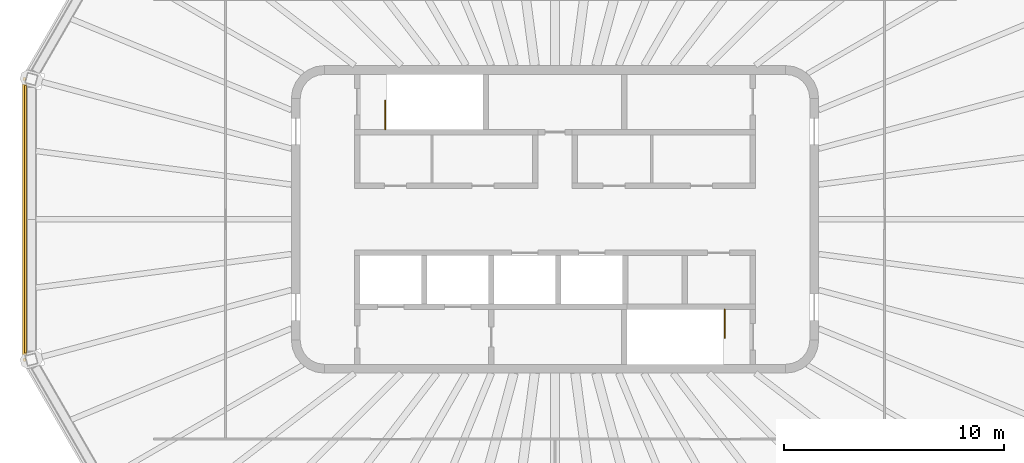
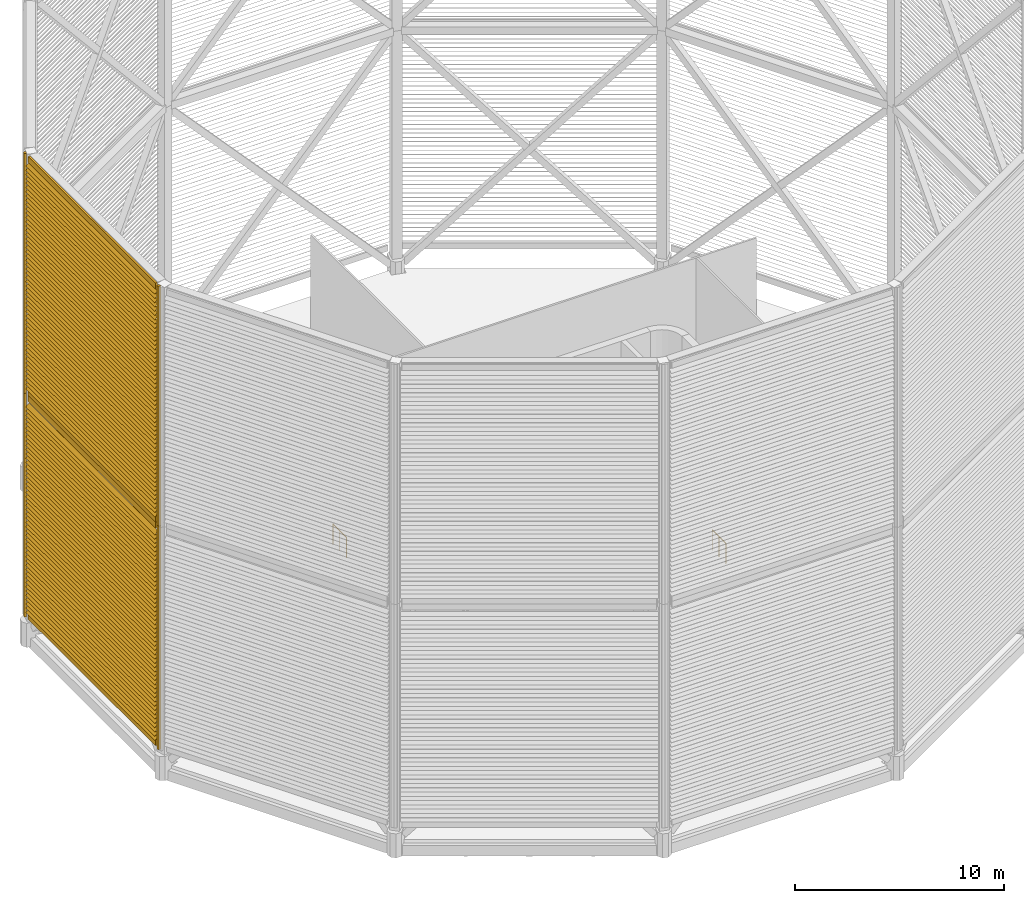
# One storey, part 10 of 18: 2 railings, 2 shading devices.
"""IFC4 building model written with IfcOpenShell, lengths in metres."""

from ifc_helpers import new_model, si_unit, direction, frame, origin, origin_2d, place, context, subcontext, project, spatial, rectangle, circle, extrude, material, type_object, element, save


model = new_model("IFC4")

# Units and contexts
model_context = context("Model", 3, precision=1e-05, world=origin(), true_north=direction((0.0, 1.0)))
body_context = subcontext(model_context, "Body", "Model", "MODEL_VIEW")
ifc_project = project(units=[si_unit("LENGTHUNIT", "METRE"), si_unit("AREAUNIT", "SQUARE_METRE"), si_unit("VOLUMEUNIT", "CUBIC_METRE"), si_unit("PLANEANGLEUNIT", "RADIAN"), si_unit("MASSUNIT", "GRAM", prefix="KILO")], contexts=[model_context])

# Site, building, storey
site_placement = place(None, origin())
site = spatial("IfcSite", under=ifc_project, at=site_placement, CompositionType="ELEMENT")
building_placement = place(site_placement, origin())
building = spatial("IfcBuilding", under=site, at=building_placement, Name="Sahrelin Media Tower", CompositionType="ELEMENT")
storey_placement = place(building_placement, frame((0.0, 0.0, 335.800048828125)))
storey = spatial("IfcBuildingStorey", under=building, at=storey_placement, Name="Crown", CompositionType="ELEMENT", Elevation=335.800048828125)

# Shading devices
ifc_material_1 = material(Name="Champagne anodised aluminium 6063-T6", Category="aluminium")
shading_device_type = type_object("IfcShadingDeviceType", Name="Crown louvre screen", PredefinedType="USERDEFINED", material=ifc_material_1)
shading_device_1_placement = place(storey_placement, frame((-23.830078125, 6.38525390625, 0.949951171875), z_axis=(0.0, 0.0, 1.0), x_axis=(0.0, 1.0, 0.0)))
element("IfcShadingDevice", 1, at=shading_device_1_placement, inside=storey, type_object=shading_device_type, Name="Crown louvre screen CS-05A", ObjectType="LOUVRE", PredefinedType="USERDEFINED", context=body_context, shape_type="SweptSolid", body=[
    extrude(rectangle(XDim=0.10009765625, YDim=0.35009765625, at=origin_2d()), frame((-0.300048828125, 0.27490234375, 12.875), z_axis=(-1.0, 0.0, 0.0), x_axis=(0.0, -1.0, 0.0)), (0.0, 0.0, 1.0), 12.170654296875),
    extrude(rectangle(XDim=0.10009765625, YDim=0.35009765625, at=origin_2d()), frame((-0.300048828125, 0.27490234375, 0.175048828125), z_axis=(-1.0, 0.0, 0.0), x_axis=(0.0, -1.0, 0.0)), (0.0, 0.0, 1.0), 12.170654296875),
    extrude(rectangle(XDim=0.1201171875, YDim=0.14990234375, at=origin_2d()), frame((0.0078125, 0.31884765625, 0.0), z_axis=(0.0, 0.0, 1.0), x_axis=(0.258819045103, 0.965925826289, 0.0)), (0.0, 0.0, 1.0), 13.050048828125),
    extrude(rectangle(XDim=0.1201171875, YDim=0.14990234375, at=origin_2d()), frame((-12.7783203125, 0.31884765625, 0.0), z_axis=(0.0, 0.0, 1.0), x_axis=(-0.258819045103, 0.965925826289, 0.0)), (0.0, 0.0, 1.0), 13.050048828125),
    extrude(rectangle(XDim=0.25, YDim=0.02001953125, at=origin_2d()), frame((-0.219970703125, 0.31005859375, 0.449951171875), z_axis=(-1.0, 0.0, 0.0), x_axis=(0.0, -0.766044443119, 0.642787609687)), (0.0, 0.0, 1.0), 12.33056640625),
    extrude(rectangle(XDim=0.25, YDim=0.02001953125, at=origin_2d()), frame((-0.219970703125, 0.31005859375, 0.699951171875), z_axis=(-1.0, 0.0, 0.0), x_axis=(0.0, -0.766044443119, 0.642787609687)), (0.0, 0.0, 1.0), 12.33056640625),
    extrude(rectangle(XDim=0.25, YDim=0.02001953125, at=origin_2d()), frame((-0.219970703125, 0.31005859375, 0.949951171875), z_axis=(-1.0, 0.0, 0.0), x_axis=(0.0, -0.766044443119, 0.642787609687)), (0.0, 0.0, 1.0), 12.33056640625),
    extrude(rectangle(XDim=0.25, YDim=0.02001953125, at=origin_2d()), frame((-0.219970703125, 0.31005859375, 1.199951171875), z_axis=(-1.0, 0.0, 0.0), x_axis=(0.0, -0.766044443119, 0.642787609687)), (0.0, 0.0, 1.0), 12.33056640625),
    extrude(rectangle(XDim=0.25, YDim=0.02001953125, at=origin_2d()), frame((-0.219970703125, 0.31005859375, 1.449951171875), z_axis=(-1.0, 0.0, 0.0), x_axis=(0.0, -0.766044443119, 0.642787609687)), (0.0, 0.0, 1.0), 12.33056640625),
    extrude(rectangle(XDim=0.25, YDim=0.02001953125, at=origin_2d()), frame((-0.219970703125, 0.31005859375, 1.699951171875), z_axis=(-1.0, 0.0, 0.0), x_axis=(0.0, -0.766044443119, 0.642787609687)), (0.0, 0.0, 1.0), 12.33056640625),
    extrude(rectangle(XDim=0.25, YDim=0.02001953125, at=origin_2d()), frame((-0.219970703125, 0.31005859375, 1.949951171875), z_axis=(-1.0, 0.0, 0.0), x_axis=(0.0, -0.766044443119, 0.642787609687)), (0.0, 0.0, 1.0), 12.33056640625),
    extrude(rectangle(XDim=0.25, YDim=0.02001953125, at=origin_2d()), frame((-0.219970703125, 0.31005859375, 2.199951171875), z_axis=(-1.0, 0.0, 0.0), x_axis=(0.0, -0.766044443119, 0.642787609687)), (0.0, 0.0, 1.0), 12.33056640625),
    extrude(rectangle(XDim=0.25, YDim=0.02001953125, at=origin_2d()), frame((-0.219970703125, 0.31005859375, 2.449951171875), z_axis=(-1.0, 0.0, 0.0), x_axis=(0.0, -0.766044443119, 0.642787609687)), (0.0, 0.0, 1.0), 12.33056640625),
    extrude(rectangle(XDim=0.25, YDim=0.02001953125, at=origin_2d()), frame((-0.219970703125, 0.31005859375, 2.699951171875), z_axis=(-1.0, 0.0, 0.0), x_axis=(0.0, -0.766044443119, 0.642787609687)), (0.0, 0.0, 1.0), 12.33056640625),
    extrude(rectangle(XDim=0.25, YDim=0.02001953125, at=origin_2d()), frame((-0.219970703125, 0.31005859375, 2.949951171875), z_axis=(-1.0, 0.0, 0.0), x_axis=(0.0, -0.766044443119, 0.642787609687)), (0.0, 0.0, 1.0), 12.33056640625),
    extrude(rectangle(XDim=0.25, YDim=0.02001953125, at=origin_2d()), frame((-0.219970703125, 0.31005859375, 3.199951171875), z_axis=(-1.0, 0.0, 0.0), x_axis=(0.0, -0.766044443119, 0.642787609687)), (0.0, 0.0, 1.0), 12.33056640625),
    extrude(rectangle(XDim=0.25, YDim=0.02001953125, at=origin_2d()), frame((-0.219970703125, 0.31005859375, 3.449951171875), z_axis=(-1.0, 0.0, 0.0), x_axis=(0.0, -0.766044443119, 0.642787609687)), (0.0, 0.0, 1.0), 12.33056640625),
    extrude(rectangle(XDim=0.25, YDim=0.02001953125, at=origin_2d()), frame((-0.219970703125, 0.31005859375, 3.699951171875), z_axis=(-1.0, 0.0, 0.0), x_axis=(0.0, -0.766044443119, 0.642787609687)), (0.0, 0.0, 1.0), 12.33056640625),
    extrude(rectangle(XDim=0.25, YDim=0.02001953125, at=origin_2d()), frame((-0.219970703125, 0.31005859375, 3.949951171875), z_axis=(-1.0, 0.0, 0.0), x_axis=(0.0, -0.766044443119, 0.642787609687)), (0.0, 0.0, 1.0), 12.33056640625),
    extrude(rectangle(XDim=0.25, YDim=0.02001953125, at=origin_2d()), frame((-0.219970703125, 0.31005859375, 4.199951171875), z_axis=(-1.0, 0.0, 0.0), x_axis=(0.0, -0.766044443119, 0.642787609687)), (0.0, 0.0, 1.0), 12.33056640625),
    extrude(rectangle(XDim=0.25, YDim=0.02001953125, at=origin_2d()), frame((-0.219970703125, 0.31005859375, 4.449951171875), z_axis=(-1.0, 0.0, 0.0), x_axis=(0.0, -0.766044443119, 0.642787609687)), (0.0, 0.0, 1.0), 12.33056640625),
    extrude(rectangle(XDim=0.25, YDim=0.02001953125, at=origin_2d()), frame((-0.219970703125, 0.31005859375, 4.699951171875), z_axis=(-1.0, 0.0, 0.0), x_axis=(0.0, -0.766044443119, 0.642787609687)), (0.0, 0.0, 1.0), 12.33056640625),
    extrude(rectangle(XDim=0.25, YDim=0.02001953125, at=origin_2d()), frame((-0.219970703125, 0.31005859375, 4.949951171875), z_axis=(-1.0, 0.0, 0.0), x_axis=(0.0, -0.766044443119, 0.642787609687)), (0.0, 0.0, 1.0), 12.33056640625),
    extrude(rectangle(XDim=0.25, YDim=0.02001953125, at=origin_2d()), frame((-0.219970703125, 0.31005859375, 5.199951171875), z_axis=(-1.0, 0.0, 0.0), x_axis=(0.0, -0.766044443119, 0.642787609687)), (0.0, 0.0, 1.0), 12.33056640625),
    extrude(rectangle(XDim=0.25, YDim=0.02001953125, at=origin_2d()), frame((-0.219970703125, 0.31005859375, 5.449951171875), z_axis=(-1.0, 0.0, 0.0), x_axis=(0.0, -0.766044443119, 0.642787609687)), (0.0, 0.0, 1.0), 12.33056640625),
    extrude(rectangle(XDim=0.25, YDim=0.02001953125, at=origin_2d()), frame((-0.219970703125, 0.31005859375, 5.699951171875), z_axis=(-1.0, 0.0, 0.0), x_axis=(0.0, -0.766044443119, 0.642787609687)), (0.0, 0.0, 1.0), 12.33056640625),
    extrude(rectangle(XDim=0.25, YDim=0.02001953125, at=origin_2d()), frame((-0.219970703125, 0.31005859375, 5.949951171875), z_axis=(-1.0, 0.0, 0.0), x_axis=(0.0, -0.766044443119, 0.642787609687)), (0.0, 0.0, 1.0), 12.33056640625),
    extrude(rectangle(XDim=0.25, YDim=0.02001953125, at=origin_2d()), frame((-0.219970703125, 0.31005859375, 6.199951171875), z_axis=(-1.0, 0.0, 0.0), x_axis=(0.0, -0.766044443119, 0.642787609687)), (0.0, 0.0, 1.0), 12.33056640625),
    extrude(rectangle(XDim=0.25, YDim=0.02001953125, at=origin_2d()), frame((-0.219970703125, 0.31005859375, 6.449951171875), z_axis=(-1.0, 0.0, 0.0), x_axis=(0.0, -0.766044443119, 0.642787609687)), (0.0, 0.0, 1.0), 12.33056640625),
    extrude(rectangle(XDim=0.25, YDim=0.02001953125, at=origin_2d()), frame((-0.219970703125, 0.31005859375, 6.699951171875), z_axis=(-1.0, 0.0, 0.0), x_axis=(0.0, -0.766044443119, 0.642787609687)), (0.0, 0.0, 1.0), 12.33056640625),
    extrude(rectangle(XDim=0.25, YDim=0.02001953125, at=origin_2d()), frame((-0.219970703125, 0.31005859375, 6.949951171875), z_axis=(-1.0, 0.0, 0.0), x_axis=(0.0, -0.766044443119, 0.642787609687)), (0.0, 0.0, 1.0), 12.33056640625),
    extrude(rectangle(XDim=0.25, YDim=0.02001953125, at=origin_2d()), frame((-0.219970703125, 0.31005859375, 7.199951171875), z_axis=(-1.0, 0.0, 0.0), x_axis=(0.0, -0.766044443119, 0.642787609687)), (0.0, 0.0, 1.0), 12.33056640625),
    extrude(rectangle(XDim=0.25, YDim=0.02001953125, at=origin_2d()), frame((-0.219970703125, 0.31005859375, 7.449951171875), z_axis=(-1.0, 0.0, 0.0), x_axis=(0.0, -0.766044443119, 0.642787609687)), (0.0, 0.0, 1.0), 12.33056640625),
    extrude(rectangle(XDim=0.25, YDim=0.02001953125, at=origin_2d()), frame((-0.219970703125, 0.31005859375, 7.699951171875), z_axis=(-1.0, 0.0, 0.0), x_axis=(0.0, -0.766044443119, 0.642787609687)), (0.0, 0.0, 1.0), 12.33056640625),
    extrude(rectangle(XDim=0.25, YDim=0.02001953125, at=origin_2d()), frame((-0.219970703125, 0.31005859375, 7.949951171875), z_axis=(-1.0, 0.0, 0.0), x_axis=(0.0, -0.766044443119, 0.642787609687)), (0.0, 0.0, 1.0), 12.33056640625),
    extrude(rectangle(XDim=0.25, YDim=0.02001953125, at=origin_2d()), frame((-0.219970703125, 0.31005859375, 8.199951171875), z_axis=(-1.0, 0.0, 0.0), x_axis=(0.0, -0.766044443119, 0.642787609687)), (0.0, 0.0, 1.0), 12.33056640625),
    extrude(rectangle(XDim=0.25, YDim=0.02001953125, at=origin_2d()), frame((-0.219970703125, 0.31005859375, 8.449951171875), z_axis=(-1.0, 0.0, 0.0), x_axis=(0.0, -0.766044443119, 0.642787609687)), (0.0, 0.0, 1.0), 12.33056640625),
    extrude(rectangle(XDim=0.25, YDim=0.02001953125, at=origin_2d()), frame((-0.219970703125, 0.31005859375, 8.699951171875), z_axis=(-1.0, 0.0, 0.0), x_axis=(0.0, -0.766044443119, 0.642787609687)), (0.0, 0.0, 1.0), 12.33056640625),
    extrude(rectangle(XDim=0.25, YDim=0.02001953125, at=origin_2d()), frame((-0.219970703125, 0.31005859375, 8.949951171875), z_axis=(-1.0, 0.0, 0.0), x_axis=(0.0, -0.766044443119, 0.642787609687)), (0.0, 0.0, 1.0), 12.33056640625),
    extrude(rectangle(XDim=0.25, YDim=0.02001953125, at=origin_2d()), frame((-0.219970703125, 0.31005859375, 9.199951171875), z_axis=(-1.0, 0.0, 0.0), x_axis=(0.0, -0.766044443119, 0.642787609687)), (0.0, 0.0, 1.0), 12.33056640625),
    extrude(rectangle(XDim=0.25, YDim=0.02001953125, at=origin_2d()), frame((-0.219970703125, 0.31005859375, 9.449951171875), z_axis=(-1.0, 0.0, 0.0), x_axis=(0.0, -0.766044443119, 0.642787609687)), (0.0, 0.0, 1.0), 12.33056640625),
    extrude(rectangle(XDim=0.25, YDim=0.02001953125, at=origin_2d()), frame((-0.219970703125, 0.31005859375, 9.699951171875), z_axis=(-1.0, 0.0, 0.0), x_axis=(0.0, -0.766044443119, 0.642787609687)), (0.0, 0.0, 1.0), 12.33056640625),
    extrude(rectangle(XDim=0.25, YDim=0.02001953125, at=origin_2d()), frame((-0.219970703125, 0.31005859375, 9.949951171875), z_axis=(-1.0, 0.0, 0.0), x_axis=(0.0, -0.766044443119, 0.642787609687)), (0.0, 0.0, 1.0), 12.33056640625),
    extrude(rectangle(XDim=0.25, YDim=0.02001953125, at=origin_2d()), frame((-0.219970703125, 0.31005859375, 10.199951171875), z_axis=(-1.0, 0.0, 0.0), x_axis=(0.0, -0.766044443119, 0.642787609687)), (0.0, 0.0, 1.0), 12.33056640625),
    extrude(rectangle(XDim=0.25, YDim=0.02001953125, at=origin_2d()), frame((-0.219970703125, 0.31005859375, 10.449951171875), z_axis=(-1.0, 0.0, 0.0), x_axis=(0.0, -0.766044443119, 0.642787609687)), (0.0, 0.0, 1.0), 12.33056640625),
    extrude(rectangle(XDim=0.25, YDim=0.02001953125, at=origin_2d()), frame((-0.219970703125, 0.31005859375, 10.699951171875), z_axis=(-1.0, 0.0, 0.0), x_axis=(0.0, -0.766044443119, 0.642787609687)), (0.0, 0.0, 1.0), 12.33056640625),
    extrude(rectangle(XDim=0.25, YDim=0.02001953125, at=origin_2d()), frame((-0.219970703125, 0.31005859375, 10.949951171875), z_axis=(-1.0, 0.0, 0.0), x_axis=(0.0, -0.766044443119, 0.642787609687)), (0.0, 0.0, 1.0), 12.33056640625),
    extrude(rectangle(XDim=0.25, YDim=0.02001953125, at=origin_2d()), frame((-0.219970703125, 0.31005859375, 11.199951171875), z_axis=(-1.0, 0.0, 0.0), x_axis=(0.0, -0.766044443119, 0.642787609687)), (0.0, 0.0, 1.0), 12.33056640625),
    extrude(rectangle(XDim=0.25, YDim=0.02001953125, at=origin_2d()), frame((-0.219970703125, 0.31005859375, 11.449951171875), z_axis=(-1.0, 0.0, 0.0), x_axis=(0.0, -0.766044443119, 0.642787609687)), (0.0, 0.0, 1.0), 12.33056640625),
    extrude(rectangle(XDim=0.25, YDim=0.02001953125, at=origin_2d()), frame((-0.219970703125, 0.31005859375, 11.699951171875), z_axis=(-1.0, 0.0, 0.0), x_axis=(0.0, -0.766044443119, 0.642787609687)), (0.0, 0.0, 1.0), 12.33056640625),
    extrude(rectangle(XDim=0.25, YDim=0.02001953125, at=origin_2d()), frame((-0.219970703125, 0.31005859375, 11.949951171875), z_axis=(-1.0, 0.0, 0.0), x_axis=(0.0, -0.766044443119, 0.642787609687)), (0.0, 0.0, 1.0), 12.33056640625),
    extrude(rectangle(XDim=0.25, YDim=0.02001953125, at=origin_2d()), frame((-0.219970703125, 0.31005859375, 12.199951171875), z_axis=(-1.0, 0.0, 0.0), x_axis=(0.0, -0.766044443119, 0.642787609687)), (0.0, 0.0, 1.0), 12.33056640625),
    extrude(rectangle(XDim=0.25, YDim=0.02001953125, at=origin_2d()), frame((-0.219970703125, 0.31005859375, 12.449951171875), z_axis=(-1.0, 0.0, 0.0), x_axis=(0.0, -0.766044443119, 0.642787609687)), (0.0, 0.0, 1.0), 12.33056640625),
])
shading_device_2_placement = place(storey_placement, frame((-23.830078125, 6.38525390625, 14.0), z_axis=(0.0, 0.0, 1.0), x_axis=(0.0, 1.0, 0.0)))
element("IfcShadingDevice", 2, at=shading_device_2_placement, inside=storey, type_object=shading_device_type, Name="Crown louvre screen CS-05B", ObjectType="LOUVRE", PredefinedType="USERDEFINED", context=body_context, shape_type="SweptSolid", body=[
    extrude(rectangle(XDim=0.10009765625, YDim=0.35009765625, at=origin_2d()), frame((-0.300048828125, 0.27490234375, 13.77490234375), z_axis=(-1.0, 0.0, 0.0), x_axis=(0.0, -1.0, 0.0)), (0.0, 0.0, 1.0), 12.170654296875),
    extrude(rectangle(XDim=0.10009765625, YDim=0.35009765625, at=origin_2d()), frame((-0.300048828125, 0.27490234375, 0.175048828125), z_axis=(-1.0, 0.0, 0.0), x_axis=(0.0, -1.0, 0.0)), (0.0, 0.0, 1.0), 12.170654296875),
    extrude(rectangle(XDim=0.1201171875, YDim=0.14990234375, at=origin_2d()), frame((0.0078125, 0.31884765625, 0.0), z_axis=(0.0, 0.0, 1.0), x_axis=(0.258819045103, 0.965925826289, 0.0)), (0.0, 0.0, 1.0), 14.0),
    extrude(rectangle(XDim=0.1201171875, YDim=0.14990234375, at=origin_2d()), frame((-12.7783203125, 0.31884765625, 0.0), z_axis=(0.0, 0.0, 1.0), x_axis=(-0.258819045103, 0.965925826289, 0.0)), (0.0, 0.0, 1.0), 14.0),
    extrude(rectangle(XDim=0.25, YDim=0.02001953125, at=origin_2d()), frame((-0.219970703125, 0.31005859375, 0.449951171875), z_axis=(-1.0, 0.0, 0.0), x_axis=(0.0, -0.766044443119, 0.642787609687)), (0.0, 0.0, 1.0), 12.33056640625),
    extrude(rectangle(XDim=0.25, YDim=0.02001953125, at=origin_2d()), frame((-0.219970703125, 0.31005859375, 0.699951171875), z_axis=(-1.0, 0.0, 0.0), x_axis=(0.0, -0.766044443119, 0.642787609687)), (0.0, 0.0, 1.0), 12.33056640625),
    extrude(rectangle(XDim=0.25, YDim=0.02001953125, at=origin_2d()), frame((-0.219970703125, 0.31005859375, 0.949951171875), z_axis=(-1.0, 0.0, 0.0), x_axis=(0.0, -0.766044443119, 0.642787609687)), (0.0, 0.0, 1.0), 12.33056640625),
    extrude(rectangle(XDim=0.25, YDim=0.02001953125, at=origin_2d()), frame((-0.219970703125, 0.31005859375, 1.199951171875), z_axis=(-1.0, 0.0, 0.0), x_axis=(0.0, -0.766044443119, 0.642787609687)), (0.0, 0.0, 1.0), 12.33056640625),
    extrude(rectangle(XDim=0.25, YDim=0.02001953125, at=origin_2d()), frame((-0.219970703125, 0.31005859375, 1.449951171875), z_axis=(-1.0, 0.0, 0.0), x_axis=(0.0, -0.766044443119, 0.642787609687)), (0.0, 0.0, 1.0), 12.33056640625),
    extrude(rectangle(XDim=0.25, YDim=0.02001953125, at=origin_2d()), frame((-0.219970703125, 0.31005859375, 1.699951171875), z_axis=(-1.0, 0.0, 0.0), x_axis=(0.0, -0.766044443119, 0.642787609687)), (0.0, 0.0, 1.0), 12.33056640625),
    extrude(rectangle(XDim=0.25, YDim=0.02001953125, at=origin_2d()), frame((-0.219970703125, 0.31005859375, 1.949951171875), z_axis=(-1.0, 0.0, 0.0), x_axis=(0.0, -0.766044443119, 0.642787609687)), (0.0, 0.0, 1.0), 12.33056640625),
    extrude(rectangle(XDim=0.25, YDim=0.02001953125, at=origin_2d()), frame((-0.219970703125, 0.31005859375, 2.199951171875), z_axis=(-1.0, 0.0, 0.0), x_axis=(0.0, -0.766044443119, 0.642787609687)), (0.0, 0.0, 1.0), 12.33056640625),
    extrude(rectangle(XDim=0.25, YDim=0.02001953125, at=origin_2d()), frame((-0.219970703125, 0.31005859375, 2.449951171875), z_axis=(-1.0, 0.0, 0.0), x_axis=(0.0, -0.766044443119, 0.642787609687)), (0.0, 0.0, 1.0), 12.33056640625),
    extrude(rectangle(XDim=0.25, YDim=0.02001953125, at=origin_2d()), frame((-0.219970703125, 0.31005859375, 2.699951171875), z_axis=(-1.0, 0.0, 0.0), x_axis=(0.0, -0.766044443119, 0.642787609687)), (0.0, 0.0, 1.0), 12.33056640625),
    extrude(rectangle(XDim=0.25, YDim=0.02001953125, at=origin_2d()), frame((-0.219970703125, 0.31005859375, 2.949951171875), z_axis=(-1.0, 0.0, 0.0), x_axis=(0.0, -0.766044443119, 0.642787609687)), (0.0, 0.0, 1.0), 12.33056640625),
    extrude(rectangle(XDim=0.25, YDim=0.02001953125, at=origin_2d()), frame((-0.219970703125, 0.31005859375, 3.199951171875), z_axis=(-1.0, 0.0, 0.0), x_axis=(0.0, -0.766044443119, 0.642787609687)), (0.0, 0.0, 1.0), 12.33056640625),
    extrude(rectangle(XDim=0.25, YDim=0.02001953125, at=origin_2d()), frame((-0.219970703125, 0.31005859375, 3.449951171875), z_axis=(-1.0, 0.0, 0.0), x_axis=(0.0, -0.766044443119, 0.642787609687)), (0.0, 0.0, 1.0), 12.33056640625),
    extrude(rectangle(XDim=0.25, YDim=0.02001953125, at=origin_2d()), frame((-0.219970703125, 0.31005859375, 3.699951171875), z_axis=(-1.0, 0.0, 0.0), x_axis=(0.0, -0.766044443119, 0.642787609687)), (0.0, 0.0, 1.0), 12.33056640625),
    extrude(rectangle(XDim=0.25, YDim=0.02001953125, at=origin_2d()), frame((-0.219970703125, 0.31005859375, 3.949951171875), z_axis=(-1.0, 0.0, 0.0), x_axis=(0.0, -0.766044443119, 0.642787609687)), (0.0, 0.0, 1.0), 12.33056640625),
    extrude(rectangle(XDim=0.25, YDim=0.02001953125, at=origin_2d()), frame((-0.219970703125, 0.31005859375, 4.199951171875), z_axis=(-1.0, 0.0, 0.0), x_axis=(0.0, -0.766044443119, 0.642787609687)), (0.0, 0.0, 1.0), 12.33056640625),
    extrude(rectangle(XDim=0.25, YDim=0.02001953125, at=origin_2d()), frame((-0.219970703125, 0.31005859375, 4.449951171875), z_axis=(-1.0, 0.0, 0.0), x_axis=(0.0, -0.766044443119, 0.642787609687)), (0.0, 0.0, 1.0), 12.33056640625),
    extrude(rectangle(XDim=0.25, YDim=0.02001953125, at=origin_2d()), frame((-0.219970703125, 0.31005859375, 4.699951171875), z_axis=(-1.0, 0.0, 0.0), x_axis=(0.0, -0.766044443119, 0.642787609687)), (0.0, 0.0, 1.0), 12.33056640625),
    extrude(rectangle(XDim=0.25, YDim=0.02001953125, at=origin_2d()), frame((-0.219970703125, 0.31005859375, 4.949951171875), z_axis=(-1.0, 0.0, 0.0), x_axis=(0.0, -0.766044443119, 0.642787609687)), (0.0, 0.0, 1.0), 12.33056640625),
    extrude(rectangle(XDim=0.25, YDim=0.02001953125, at=origin_2d()), frame((-0.219970703125, 0.31005859375, 5.199951171875), z_axis=(-1.0, 0.0, 0.0), x_axis=(0.0, -0.766044443119, 0.642787609687)), (0.0, 0.0, 1.0), 12.33056640625),
    extrude(rectangle(XDim=0.25, YDim=0.02001953125, at=origin_2d()), frame((-0.219970703125, 0.31005859375, 5.449951171875), z_axis=(-1.0, 0.0, 0.0), x_axis=(0.0, -0.766044443119, 0.642787609687)), (0.0, 0.0, 1.0), 12.33056640625),
    extrude(rectangle(XDim=0.25, YDim=0.02001953125, at=origin_2d()), frame((-0.219970703125, 0.31005859375, 5.699951171875), z_axis=(-1.0, 0.0, 0.0), x_axis=(0.0, -0.766044443119, 0.642787609687)), (0.0, 0.0, 1.0), 12.33056640625),
    extrude(rectangle(XDim=0.25, YDim=0.02001953125, at=origin_2d()), frame((-0.219970703125, 0.31005859375, 5.949951171875), z_axis=(-1.0, 0.0, 0.0), x_axis=(0.0, -0.766044443119, 0.642787609687)), (0.0, 0.0, 1.0), 12.33056640625),
    extrude(rectangle(XDim=0.25, YDim=0.02001953125, at=origin_2d()), frame((-0.219970703125, 0.31005859375, 6.199951171875), z_axis=(-1.0, 0.0, 0.0), x_axis=(0.0, -0.766044443119, 0.642787609687)), (0.0, 0.0, 1.0), 12.33056640625),
    extrude(rectangle(XDim=0.25, YDim=0.02001953125, at=origin_2d()), frame((-0.219970703125, 0.31005859375, 6.449951171875), z_axis=(-1.0, 0.0, 0.0), x_axis=(0.0, -0.766044443119, 0.642787609687)), (0.0, 0.0, 1.0), 12.33056640625),
    extrude(rectangle(XDim=0.25, YDim=0.02001953125, at=origin_2d()), frame((-0.219970703125, 0.31005859375, 6.699951171875), z_axis=(-1.0, 0.0, 0.0), x_axis=(0.0, -0.766044443119, 0.642787609687)), (0.0, 0.0, 1.0), 12.33056640625),
    extrude(rectangle(XDim=0.25, YDim=0.02001953125, at=origin_2d()), frame((-0.219970703125, 0.31005859375, 6.949951171875), z_axis=(-1.0, 0.0, 0.0), x_axis=(0.0, -0.766044443119, 0.642787609687)), (0.0, 0.0, 1.0), 12.33056640625),
    extrude(rectangle(XDim=0.25, YDim=0.02001953125, at=origin_2d()), frame((-0.219970703125, 0.31005859375, 7.199951171875), z_axis=(-1.0, 0.0, 0.0), x_axis=(0.0, -0.766044443119, 0.642787609687)), (0.0, 0.0, 1.0), 12.33056640625),
    extrude(rectangle(XDim=0.25, YDim=0.02001953125, at=origin_2d()), frame((-0.219970703125, 0.31005859375, 7.449951171875), z_axis=(-1.0, 0.0, 0.0), x_axis=(0.0, -0.766044443119, 0.642787609687)), (0.0, 0.0, 1.0), 12.33056640625),
    extrude(rectangle(XDim=0.25, YDim=0.02001953125, at=origin_2d()), frame((-0.219970703125, 0.31005859375, 7.699951171875), z_axis=(-1.0, 0.0, 0.0), x_axis=(0.0, -0.766044443119, 0.642787609687)), (0.0, 0.0, 1.0), 12.33056640625),
    extrude(rectangle(XDim=0.25, YDim=0.02001953125, at=origin_2d()), frame((-0.219970703125, 0.31005859375, 7.949951171875), z_axis=(-1.0, 0.0, 0.0), x_axis=(0.0, -0.766044443119, 0.642787609687)), (0.0, 0.0, 1.0), 12.33056640625),
    extrude(rectangle(XDim=0.25, YDim=0.02001953125, at=origin_2d()), frame((-0.219970703125, 0.31005859375, 8.199951171875), z_axis=(-1.0, 0.0, 0.0), x_axis=(0.0, -0.766044443119, 0.642787609687)), (0.0, 0.0, 1.0), 12.33056640625),
    extrude(rectangle(XDim=0.25, YDim=0.02001953125, at=origin_2d()), frame((-0.219970703125, 0.31005859375, 8.449951171875), z_axis=(-1.0, 0.0, 0.0), x_axis=(0.0, -0.766044443119, 0.642787609687)), (0.0, 0.0, 1.0), 12.33056640625),
    extrude(rectangle(XDim=0.25, YDim=0.02001953125, at=origin_2d()), frame((-0.219970703125, 0.31005859375, 8.699951171875), z_axis=(-1.0, 0.0, 0.0), x_axis=(0.0, -0.766044443119, 0.642787609687)), (0.0, 0.0, 1.0), 12.33056640625),
    extrude(rectangle(XDim=0.25, YDim=0.02001953125, at=origin_2d()), frame((-0.219970703125, 0.31005859375, 8.949951171875), z_axis=(-1.0, 0.0, 0.0), x_axis=(0.0, -0.766044443119, 0.642787609687)), (0.0, 0.0, 1.0), 12.33056640625),
    extrude(rectangle(XDim=0.25, YDim=0.02001953125, at=origin_2d()), frame((-0.219970703125, 0.31005859375, 9.199951171875), z_axis=(-1.0, 0.0, 0.0), x_axis=(0.0, -0.766044443119, 0.642787609687)), (0.0, 0.0, 1.0), 12.33056640625),
    extrude(rectangle(XDim=0.25, YDim=0.02001953125, at=origin_2d()), frame((-0.219970703125, 0.31005859375, 9.449951171875), z_axis=(-1.0, 0.0, 0.0), x_axis=(0.0, -0.766044443119, 0.642787609687)), (0.0, 0.0, 1.0), 12.33056640625),
    extrude(rectangle(XDim=0.25, YDim=0.02001953125, at=origin_2d()), frame((-0.219970703125, 0.31005859375, 9.699951171875), z_axis=(-1.0, 0.0, 0.0), x_axis=(0.0, -0.766044443119, 0.642787609687)), (0.0, 0.0, 1.0), 12.33056640625),
    extrude(rectangle(XDim=0.25, YDim=0.02001953125, at=origin_2d()), frame((-0.219970703125, 0.31005859375, 9.949951171875), z_axis=(-1.0, 0.0, 0.0), x_axis=(0.0, -0.766044443119, 0.642787609687)), (0.0, 0.0, 1.0), 12.33056640625),
    extrude(rectangle(XDim=0.25, YDim=0.02001953125, at=origin_2d()), frame((-0.219970703125, 0.31005859375, 10.199951171875), z_axis=(-1.0, 0.0, 0.0), x_axis=(0.0, -0.766044443119, 0.642787609687)), (0.0, 0.0, 1.0), 12.33056640625),
    extrude(rectangle(XDim=0.25, YDim=0.02001953125, at=origin_2d()), frame((-0.219970703125, 0.31005859375, 10.449951171875), z_axis=(-1.0, 0.0, 0.0), x_axis=(0.0, -0.766044443119, 0.642787609687)), (0.0, 0.0, 1.0), 12.33056640625),
    extrude(rectangle(XDim=0.25, YDim=0.02001953125, at=origin_2d()), frame((-0.219970703125, 0.31005859375, 10.699951171875), z_axis=(-1.0, 0.0, 0.0), x_axis=(0.0, -0.766044443119, 0.642787609687)), (0.0, 0.0, 1.0), 12.33056640625),
    extrude(rectangle(XDim=0.25, YDim=0.02001953125, at=origin_2d()), frame((-0.219970703125, 0.31005859375, 10.949951171875), z_axis=(-1.0, 0.0, 0.0), x_axis=(0.0, -0.766044443119, 0.642787609687)), (0.0, 0.0, 1.0), 12.33056640625),
    extrude(rectangle(XDim=0.25, YDim=0.02001953125, at=origin_2d()), frame((-0.219970703125, 0.31005859375, 11.199951171875), z_axis=(-1.0, 0.0, 0.0), x_axis=(0.0, -0.766044443119, 0.642787609687)), (0.0, 0.0, 1.0), 12.33056640625),
    extrude(rectangle(XDim=0.25, YDim=0.02001953125, at=origin_2d()), frame((-0.219970703125, 0.31005859375, 11.449951171875), z_axis=(-1.0, 0.0, 0.0), x_axis=(0.0, -0.766044443119, 0.642787609687)), (0.0, 0.0, 1.0), 12.33056640625),
    extrude(rectangle(XDim=0.25, YDim=0.02001953125, at=origin_2d()), frame((-0.219970703125, 0.31005859375, 11.699951171875), z_axis=(-1.0, 0.0, 0.0), x_axis=(0.0, -0.766044443119, 0.642787609687)), (0.0, 0.0, 1.0), 12.33056640625),
    extrude(rectangle(XDim=0.25, YDim=0.02001953125, at=origin_2d()), frame((-0.219970703125, 0.31005859375, 11.949951171875), z_axis=(-1.0, 0.0, 0.0), x_axis=(0.0, -0.766044443119, 0.642787609687)), (0.0, 0.0, 1.0), 12.33056640625),
    extrude(rectangle(XDim=0.25, YDim=0.02001953125, at=origin_2d()), frame((-0.219970703125, 0.31005859375, 12.199951171875), z_axis=(-1.0, 0.0, 0.0), x_axis=(0.0, -0.766044443119, 0.642787609687)), (0.0, 0.0, 1.0), 12.33056640625),
    extrude(rectangle(XDim=0.25, YDim=0.02001953125, at=origin_2d()), frame((-0.219970703125, 0.31005859375, 12.449951171875), z_axis=(-1.0, 0.0, 0.0), x_axis=(0.0, -0.766044443119, 0.642787609687)), (0.0, 0.0, 1.0), 12.33056640625),
    extrude(rectangle(XDim=0.25, YDim=0.02001953125, at=origin_2d()), frame((-0.219970703125, 0.31005859375, 12.699951171875), z_axis=(-1.0, 0.0, 0.0), x_axis=(0.0, -0.766044443119, 0.642787609687)), (0.0, 0.0, 1.0), 12.33056640625),
    extrude(rectangle(XDim=0.25, YDim=0.02001953125, at=origin_2d()), frame((-0.219970703125, 0.31005859375, 12.949951171875), z_axis=(-1.0, 0.0, 0.0), x_axis=(0.0, -0.766044443119, 0.642787609687)), (0.0, 0.0, 1.0), 12.33056640625),
    extrude(rectangle(XDim=0.25, YDim=0.02001953125, at=origin_2d()), frame((-0.219970703125, 0.31005859375, 13.199951171875), z_axis=(-1.0, 0.0, 0.0), x_axis=(0.0, -0.766044443119, 0.642787609687)), (0.0, 0.0, 1.0), 12.33056640625),
    extrude(rectangle(XDim=0.25, YDim=0.02001953125, at=origin_2d()), frame((-0.219970703125, 0.31005859375, 13.449951171875), z_axis=(-1.0, 0.0, 0.0), x_axis=(0.0, -0.766044443119, 0.642787609687)), (0.0, 0.0, 1.0), 12.33056640625),
])

# Railings
ifc_material_2 = material(Name="Steel S355", Category="steel")
railing_type = type_object("IfcRailingType", Name="Stair guard 1200", PredefinedType="GUARDRAIL", material=ifc_material_2)
railing_1_placement = place(storey_placement, frame((-7.72509765625, 4.10009765625, 0.0)))
element("IfcRailing", 3, at=railing_1_placement, inside=storey, type_object=railing_type, Name="Crown ST1 top well guard 1", PredefinedType="GUARDRAIL", context=body_context, shape_type="SweptSolid", body=[
    extrude(circle(Radius=0.02392578125, at=origin_2d()), frame((0.0, 0.0, 1.17578125), z_axis=(0.0, 1.0, 0.0), x_axis=(-1.0, 0.0, 0.0)), (0.0, 0.0, 1.0), 1.2998046875),
    extrude(circle(Radius=0.02099609375, at=origin_2d()), origin(), (0.0, 0.0, 1.0), 1.15185546875),
    extrude(circle(Radius=0.02099609375, at=origin_2d()), frame((0.0, 0.64990234375, 0.0)), (0.0, 0.0, 1.0), 1.15185546875),
    extrude(circle(Radius=0.02099609375, at=origin_2d()), frame((0.0, 1.2998046875, 0.0)), (0.0, 0.0, 1.0), 1.15185546875),
])
railing_2_placement = place(storey_placement, frame((7.72509765625, -4.10009765625, 0.0)))
element("IfcRailing", 4, at=railing_2_placement, inside=storey, type_object=railing_type, Name="Crown ST2 top well guard 1", PredefinedType="GUARDRAIL", context=body_context, shape_type="SweptSolid", body=[
    extrude(circle(Radius=0.02392578125, at=origin_2d()), frame((0.0, 0.0, 1.17578125), z_axis=(0.0, -1.0, 0.0), x_axis=(1.0, 0.0, 0.0)), (0.0, 0.0, 1.0), 1.2998046875),
    extrude(circle(Radius=0.02099609375, at=origin_2d()), origin(), (0.0, 0.0, 1.0), 1.15185546875),
    extrude(circle(Radius=0.02099609375, at=origin_2d()), frame((0.0, -0.64990234375, 0.0)), (0.0, 0.0, 1.0), 1.15185546875),
    extrude(circle(Radius=0.02099609375, at=origin_2d()), frame((0.0, -1.2998046875, 0.0)), (0.0, 0.0, 1.0), 1.15185546875),
])

save(model, "model.ifc")
